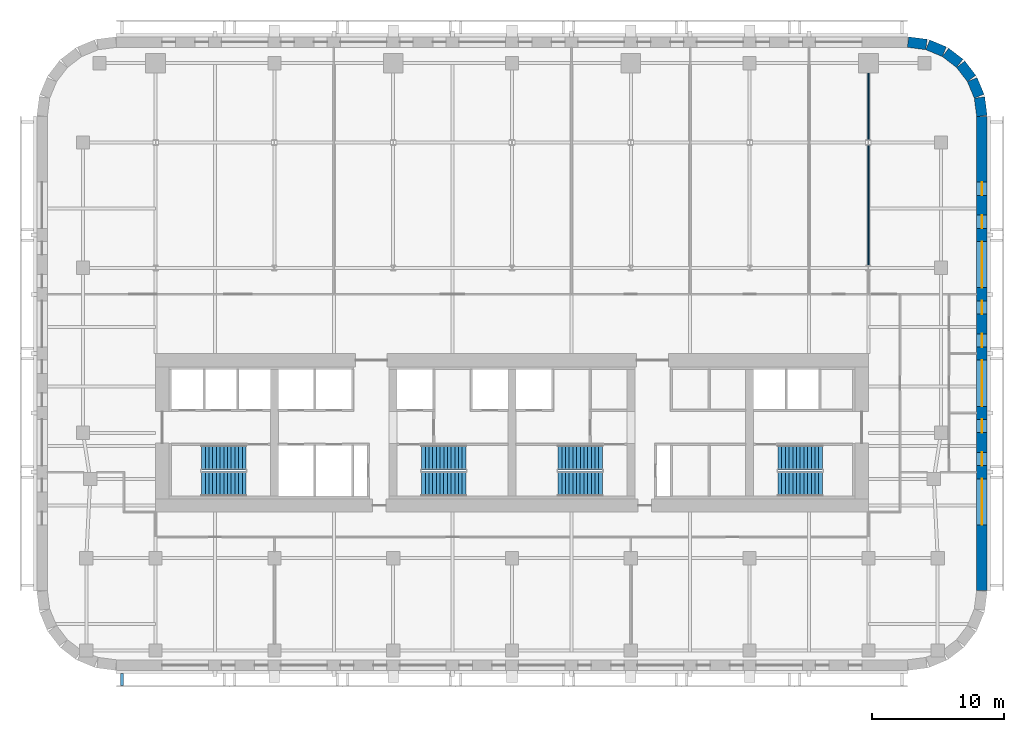
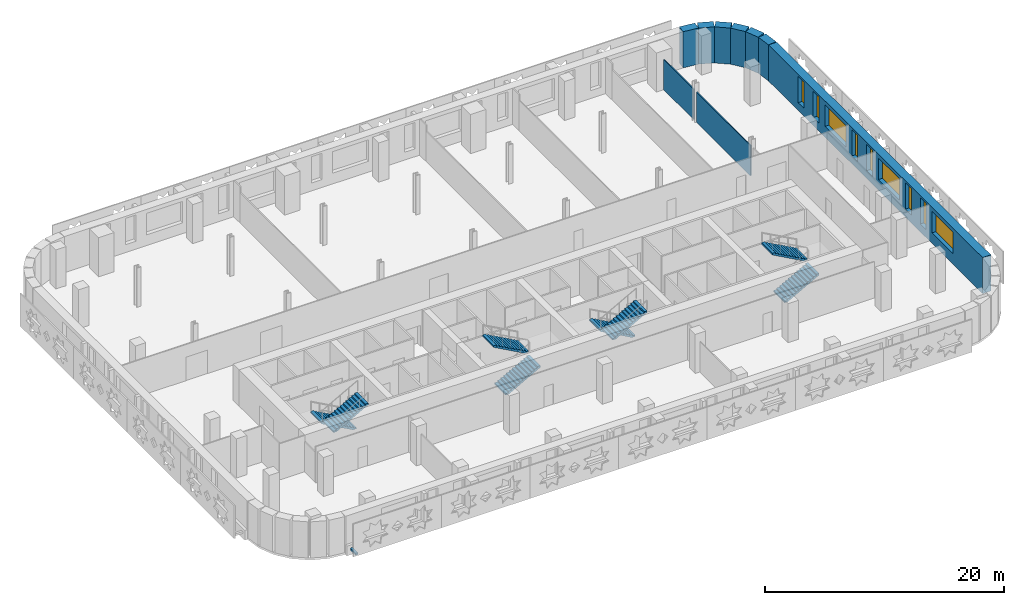
# One storey, part 7 of 10: 9 walls, 9 windows, 8 stair flights, 1 discrete accessory, 9 openings, 4 elements without a shape of their own.
"""IFC4 building model written with IfcOpenShell, lengths in metres."""

import ifcopenshell
import ifcopenshell.guid

model = None  # the IFC model being written
_history = None  # IfcOwnerHistory: only IFC2X3 demands one
_inside = {}  # id of a spatial element -> (the spatial element, [elements in it])
_under = {}  # id of a project, library or spatial element -> (it, [spatial elements below it])
_declared = {}  # id of a project -> (the project, [libraries it declares])
_typed = {}  # id of a type object -> (the type object, [elements of that type])
_made_of = {}  # id of a material, layer set ... -> (it, [elements and type objects made of it])


def new_model(schema):
    """Start an empty IFC model of exactly this schema.

    Asked for "IFC4X3", IfcOpenShell would pick the latest addendum, in which some entities
    have other attributes; the version numbers below select the first issue.
    IFC2X3 requires an IfcOwnerHistory on every rooted entity: one is made here for all.
    """
    global model, _history
    if schema == "IFC4X3":
        model = ifcopenshell.file(schema_version=(4, 3, 0, 0))
    else:
        model = ifcopenshell.file(schema=schema)
    _inside.clear()
    _under.clear()
    _declared.clear()
    _typed.clear()
    _made_of.clear()
    _history = None
    if model.schema == "IFC2X3":
        org = make("IfcOrganization", Name="unknown")
        user = make(
            "IfcPersonAndOrganization",
            ThePerson=make("IfcPerson", FamilyName="unknown"),
            TheOrganization=org,
        )
        app = make(
            "IfcApplication",
            ApplicationDeveloper=org,
            Version="unknown",
            ApplicationFullName="unknown",
            ApplicationIdentifier="unknown",
        )
        _history = make(
            "IfcOwnerHistory",
            OwningUser=user,
            OwningApplication=app,
            ChangeAction="ADDED",
            CreationDate=0,
        )
    return model


def make(cls, **values):
    """One entity of the class cls with the attributes given. An attribute that is None is left unset."""
    return model.create_entity(
        cls, **{name: value for name, value in values.items() if value is not None}
    )


def rooted(cls, **values):
    """An entity with a GlobalId (a new one), such as an element, a storey or a relation."""
    return make(cls, GlobalId=ifcopenshell.guid.new(), OwnerHistory=_history, **values)


def si_unit(unit_type, name, prefix=None):
    """IfcSIUnit, for example si_unit("LENGTHUNIT", "METRE", prefix="MILLI")."""
    return make("IfcSIUnit", UnitType=unit_type, Prefix=prefix, Name=name)


def assignment(units):
    """IfcUnitAssignment: the units of a project."""
    return None if units is None else make("IfcUnitAssignment", Units=units)


def point(xyz):
    """IfcCartesianPoint."""
    return None if xyz is None else make("IfcCartesianPoint", Coordinates=xyz)


def direction(xyz):
    """IfcDirection."""
    return None if xyz is None else make("IfcDirection", DirectionRatios=xyz)


def frame(location, z_axis=None, x_axis=None):
    """IfcAxis2Placement3D, a coordinate frame: its origin and axes. An axis left out is left unset."""
    return make(
        "IfcAxis2Placement3D",
        Location=point(location),
        Axis=direction(z_axis),
        RefDirection=direction(x_axis),
    )


def frame_2d(location, x_axis=None):
    """IfcAxis2Placement2D, a coordinate frame in the plane: its origin and x axis."""
    return make(
        "IfcAxis2Placement2D", Location=point(location), RefDirection=direction(x_axis)
    )


def origin():
    """The frame at (0, 0, 0) with its axes left unset."""
    return frame((0.0, 0.0, 0.0))


def origin_2d():
    """The frame at (0, 0) in the plane with its x axis left unset."""
    return frame_2d((0.0, 0.0))


def place(relative_to, where):
    """IfcLocalPlacement: puts the frame where relative to a parent placement (None: the world)."""
    return make(
        "IfcLocalPlacement", PlacementRelTo=relative_to, RelativePlacement=where
    )


def context(
    kind, dimensions, precision=None, world=None, true_north=None, identifier=None
):
    """IfcGeometricRepresentationContext, for example the 3D "Model" context."""
    return make(
        "IfcGeometricRepresentationContext",
        ContextIdentifier=identifier,
        ContextType=kind,
        CoordinateSpaceDimension=dimensions,
        Precision=precision,
        WorldCoordinateSystem=world,
        TrueNorth=true_north,
    )


def subcontext(parent, identifier, kind, view, scale=None):
    """IfcGeometricRepresentationSubContext, for example "Body" below "Model"."""
    return make(
        "IfcGeometricRepresentationSubContext",
        ContextIdentifier=identifier,
        ContextType=kind,
        ParentContext=parent,
        TargetScale=scale,
        TargetView=view,
    )


def project(units=None, contexts=None):
    """IfcProject with its units and contexts."""
    return rooted(
        "IfcProject",
        Name="project",
        RepresentationContexts=contexts,
        UnitsInContext=assignment(units),
    )


def spatial(cls, under=None, at=None, **own):
    """A site, building, storey or space (cls), placed at a placement, below another one or the project."""
    s = rooted(cls, ObjectPlacement=at, **own)
    if under is not None:
        _under.setdefault(under.id(), (under, []))[1].append(s)
    return s


def polyline(points):
    """IfcPolyline through the points."""
    return make("IfcPolyline", Points=[point(p) for p in points])


def profile(cls, at=None, kind="AREA", **sizes):
    """A parametric profile (cls). Its sizes go by their IFC names, for example OverallWidth=200.0."""
    return make(cls, ProfileType=kind, Position=at, **sizes)


def rectangle(**sizes):
    """IfcRectangleProfileDef."""
    return profile("IfcRectangleProfileDef", **sizes)


def outline(outer, holes=None, kind="AREA"):
    """IfcArbitraryClosedProfileDef: a profile drawn as a closed curve; with holes, ...WithVoids."""
    if holes is None:
        return make("IfcArbitraryClosedProfileDef", ProfileType=kind, OuterCurve=outer)
    return make(
        "IfcArbitraryProfileDefWithVoids",
        ProfileType=kind,
        OuterCurve=outer,
        InnerCurves=holes,
    )


def extrude(swept, where, along, depth):
    """IfcExtrudedAreaSolid: the profile swept, set in the frame where, extruded along a direction by depth."""
    return make(
        "IfcExtrudedAreaSolid",
        SweptArea=swept,
        Position=where,
        ExtrudedDirection=direction(along),
        Depth=depth,
    )


def shape(context_of_items, identifier, shape_type, items):
    """IfcShapeRepresentation: the items that make up one representation, for example the "Body"."""
    return make(
        "IfcShapeRepresentation",
        ContextOfItems=context_of_items,
        RepresentationIdentifier=identifier,
        RepresentationType=shape_type,
        Items=items,
    )


def material(Name=None, Category=None):
    """IfcMaterial."""
    return make("IfcMaterial", Name=Name, Category=Category)


def layer(
    of_material, thickness, ventilated=None, Name=None, Category=None, Priority=None
):
    """IfcMaterialLayer: one layer of a wall or slab, of a material (None: an air gap)."""
    return make(
        "IfcMaterialLayer",
        Material=of_material,
        LayerThickness=thickness,
        IsVentilated=ventilated,
        Name=Name,
        Category=Category,
        Priority=Priority,
    )


def layer_set(layers, Name=None):
    """IfcMaterialLayerSet."""
    return make("IfcMaterialLayerSet", MaterialLayers=layers, LayerSetName=Name)


def made_of(thing, what):
    """Note that an element or type object is made of a material, layer set ...; save() writes the relation."""
    if what is not None:
        _made_of.setdefault(what.id(), (what, []))[1].append(thing)
    return thing


def type_object(cls, material=None, **own):
    """A type object (cls), such as IfcWallType, which elements share."""
    return made_of(rooted(cls, **own), material)


def element(
    cls,
    number,
    at=None,
    inside=None,
    cuts=None,
    type_object=None,
    material=None,
    context=None,
    identifier="Body",
    shape_type=None,
    held_by="IfcProductDefinitionShape",
    body=None,
    shapes=None,
    **own,
):
    """One element of the class cls, such as IfcWall. Its Tag is "e" and its number.

    at: its placement. inside: the storey or other place that contains it. cuts: it is an
    opening in that element (IfcRelVoidsElement). A single representation is given by context,
    identifier, shape_type and body (its items); several are given by shapes. held_by: the class
    of the entity that holds the representations. save() writes the other relations.
    """
    e = rooted(cls, Tag="e%d" % number, ObjectPlacement=at, **own)
    if body is not None:
        shapes = [shape(context, identifier, shape_type, body)]
    if shapes is not None:
        e.Representation = make(held_by, Representations=shapes)
    if inside is not None:
        _inside.setdefault(inside.id(), (inside, []))[1].append(e)
    if cuts is not None:
        rooted(
            "IfcRelVoidsElement", RelatingBuildingElement=cuts, RelatedOpeningElement=e
        )
    if type_object is not None:
        _typed.setdefault(type_object.id(), (type_object, []))[1].append(e)
    return made_of(e, material)


def fill(opening, filler):
    """IfcRelFillsElement: the door or window that sits in an opening."""
    return rooted(
        "IfcRelFillsElement",
        RelatingOpeningElement=opening,
        RelatedBuildingElement=filler,
    )


def aggregate(whole, parts):
    """IfcRelAggregates: a whole, such as a stair, and the parts it consists of."""
    return rooted("IfcRelAggregates", RelatingObject=whole, RelatedObjects=parts)


def save(model, path):
    """Write the relations noted so far, then the file.

    IfcRelAggregates (storeys below a building ...), IfcRelContainedInSpatialStructure (elements
    in a storey), IfcRelDefinesByType, IfcRelAssociatesMaterial and IfcRelDeclares: one each for
    every whole, place, type object, material and project.
    """
    for whole, parts in _under.values():
        aggregate(whole, parts)
    for where, things in _inside.values():
        rooted(
            "IfcRelContainedInSpatialStructure",
            RelatedElements=things,
            RelatingStructure=where,
        )
    for kind, things in _typed.values():
        rooted("IfcRelDefinesByType", RelatedObjects=things, RelatingType=kind)
    for what, things in _made_of.values():
        rooted("IfcRelAssociatesMaterial", RelatedObjects=things, RelatingMaterial=what)
    for by, libraries in _declared.values():
        rooted("IfcRelDeclares", RelatingContext=by, RelatedDefinitions=libraries)
    model.write(path)


model = new_model("IFC4")

# Units and contexts
model_context = context("Model", 3, precision=1e-05, world=origin(), true_north=direction((0.0, 1.0)))
body_context = subcontext(model_context, "Body", "Model", "MODEL_VIEW")
ifc_project = project(units=[si_unit("LENGTHUNIT", "METRE"), si_unit("AREAUNIT", "SQUARE_METRE"), si_unit("VOLUMEUNIT", "CUBIC_METRE"), si_unit("PLANEANGLEUNIT", "RADIAN"), si_unit("MASSUNIT", "GRAM", prefix="KILO")], contexts=[model_context])

# Site, building, storey
site_placement = place(None, origin())
site = spatial("IfcSite", under=ifc_project, at=site_placement, CompositionType="ELEMENT")
building_placement = place(site_placement, origin())
building = spatial("IfcBuilding", under=site, at=building_placement, Name="Zellij Exchange Tower", CompositionType="ELEMENT")
storey_placement = place(building_placement, frame((0.0, 0.0, 152.5)))
storey = spatial("IfcBuildingStorey", under=building, at=storey_placement, Name="L34", CompositionType="ELEMENT", Elevation=152.5)

# Wall, openings, windows
ifc_material_1 = material(Name="Precast concrete C40/50", Category="concrete")
ifc_layer_1 = layer(ifc_material_1, 0.800048828125)
ifc_layer_set_1 = layer_set([ifc_layer_1], Name="Precast concrete C40/50")
wall_type_1 = type_object("IfcWallType", Name="ENV-EW1 Precast stone-piered wall 800", PredefinedType="SOLIDWALL", material=ifc_layer_set_1)
wall_1_placement = place(storey_placement, frame((35.60009765625, -19.947509765625, 0.0), z_axis=(0.0, 0.0, 1.0), x_axis=(0.0, 1.0, 0.0)))
wall_1 = element("IfcWall", 1, at=wall_1_placement, inside=storey, type_object=wall_type_1, Name="fac.L34.07", PredefinedType="SOLIDWALL", context=body_context, shape_type="SweptSolid", body=[
    extrude(rectangle(XDim=35.89501953125, YDim=0.800048828125, at=frame_2d((17.947509765625, 0.0))), origin(), (0.0, 0.0, 1.0), 3.699951171875),
])
opening_1_placement = place(wall_1_placement, frame((4.9638671875, 0.0, 1.10009765625)))
opening_1 = element("IfcOpeningElement", 2, at=opening_1_placement, cuts=wall_1, Name="Opening FZ2.19", PredefinedType="OPENING", context=body_context, shape_type="SweptSolid", body=[
    extrude(rectangle(XDim=3.5, YDim=2.199951171875, at=frame_2d((1.75, 1.10009765625))), frame((0.0, 0.412109375, 0.0), z_axis=(0.0, -1.0, 0.0), x_axis=(1.0, 0.0, 0.0)), (0.0, 0.0, 1.0), 0.823974609375),
])
opening_2_placement = place(wall_1_placement, frame((9.45751953125, 0.0, 0.800048828125)))
opening_2 = element("IfcOpeningElement", 3, at=opening_2_placement, cuts=wall_1, Name="Opening FZ2.20", PredefinedType="OPENING", context=body_context, shape_type="SweptSolid", body=[
    extrude(rectangle(XDim=1.0, YDim=2.699951171875, at=frame_2d((0.5, 1.35009765625))), frame((0.0, 0.412109375, 0.0), z_axis=(0.0, -1.0, 0.0), x_axis=(1.0, 0.0, 0.0)), (0.0, 0.0, 1.0), 0.823974609375),
])
opening_3_placement = place(wall_1_placement, frame((11.95751953125, 0.0, 0.800048828125)))
opening_3 = element("IfcOpeningElement", 4, at=opening_3_placement, cuts=wall_1, Name="Opening FZ2.21", PredefinedType="OPENING", context=body_context, shape_type="SweptSolid", body=[
    extrude(rectangle(XDim=1.0, YDim=2.699951171875, at=frame_2d((0.5, 1.35009765625))), frame((0.0, 0.412109375, 0.0), z_axis=(0.0, -1.0, 0.0), x_axis=(1.0, 0.0, 0.0)), (0.0, 0.0, 1.0), 0.823974609375),
])
opening_4_placement = place(wall_1_placement, frame((13.950927734375, 0.0, 1.10009765625)))
opening_4 = element("IfcOpeningElement", 5, at=opening_4_placement, cuts=wall_1, Name="Opening FZ2.22", PredefinedType="OPENING", context=body_context, shape_type="SweptSolid", body=[
    extrude(rectangle(XDim=3.5, YDim=2.199951171875, at=frame_2d((1.75, 1.10009765625))), frame((0.0, 0.412109375, 0.0), z_axis=(0.0, -1.0, 0.0), x_axis=(1.0, 0.0, 0.0)), (0.0, 0.0, 1.0), 0.823974609375),
])
opening_5_placement = place(wall_1_placement, frame((18.4443359375, 0.0, 0.800048828125)))
opening_5 = element("IfcOpeningElement", 6, at=opening_5_placement, cuts=wall_1, Name="Opening FZ2.23", PredefinedType="OPENING", context=body_context, shape_type="SweptSolid", body=[
    extrude(rectangle(XDim=1.0, YDim=2.699951171875, at=frame_2d((0.5, 1.35009765625))), frame((0.0, 0.412109375, 0.0), z_axis=(0.0, -1.0, 0.0), x_axis=(1.0, 0.0, 0.0)), (0.0, 0.0, 1.0), 0.823974609375),
])
opening_6_placement = place(wall_1_placement, frame((20.9443359375, 0.0, 0.800048828125)))
opening_6 = element("IfcOpeningElement", 7, at=opening_6_placement, cuts=wall_1, Name="Opening FZ2.24", PredefinedType="OPENING", context=body_context, shape_type="SweptSolid", body=[
    extrude(rectangle(XDim=1.0, YDim=2.699951171875, at=frame_2d((0.5, 1.35009765625))), frame((0.0, 0.412109375, 0.0), z_axis=(0.0, -1.0, 0.0), x_axis=(1.0, 0.0, 0.0)), (0.0, 0.0, 1.0), 0.823974609375),
])
opening_7_placement = place(wall_1_placement, frame((22.937744140625, 0.0, 1.10009765625)))
opening_7 = element("IfcOpeningElement", 8, at=opening_7_placement, cuts=wall_1, Name="Opening FZ2.25", PredefinedType="OPENING", context=body_context, shape_type="SweptSolid", body=[
    extrude(rectangle(XDim=3.5, YDim=2.199951171875, at=frame_2d((1.75, 1.10009765625))), frame((0.0, 0.412109375, 0.0), z_axis=(0.0, -1.0, 0.0), x_axis=(1.0, 0.0, 0.0)), (0.0, 0.0, 1.0), 0.823974609375),
])
opening_8_placement = place(wall_1_placement, frame((27.43115234375, 0.0, 0.800048828125)))
opening_8 = element("IfcOpeningElement", 9, at=opening_8_placement, cuts=wall_1, Name="Opening FZ2.26", PredefinedType="OPENING", context=body_context, shape_type="SweptSolid", body=[
    extrude(rectangle(XDim=1.0, YDim=2.699951171875, at=frame_2d((0.5, 1.35009765625))), frame((0.0, 0.412109375, 0.0), z_axis=(0.0, -1.0, 0.0), x_axis=(1.0, 0.0, 0.0)), (0.0, 0.0, 1.0), 0.823974609375),
])
opening_9_placement = place(wall_1_placement, frame((29.93115234375, 0.0, 0.800048828125)))
opening_9 = element("IfcOpeningElement", 10, at=opening_9_placement, cuts=wall_1, Name="Opening FZ2.27", PredefinedType="OPENING", context=body_context, shape_type="SweptSolid", body=[
    extrude(rectangle(XDim=1.0, YDim=2.699951171875, at=frame_2d((0.5, 1.35009765625))), frame((0.0, 0.412109375, 0.0), z_axis=(0.0, -1.0, 0.0), x_axis=(1.0, 0.0, 0.0)), (0.0, 0.0, 1.0), 0.823974609375),
])
ifc_material_2 = material(Name="Aluminium frame with insulating glass", Category="aluminium")
window_type_1 = type_object("IfcWindowType", Name="ENV-W7 Window 3500x2200", PartitioningType="SINGLE_PANEL", PredefinedType="WINDOW", material=ifc_material_2)
window_1_placement = place(opening_1_placement, origin())
window_1 = element("IfcWindow", 11, at=window_1_placement, inside=storey, type_object=window_type_1, Name="Window FZ2.19", OverallHeight=2.199951171875, OverallWidth=3.5, PartitioningType="SINGLE_PANEL", PredefinedType="WINDOW", context=body_context, shape_type="SweptSolid", body=[
    extrude(rectangle(XDim=3.5, YDim=2.199951171875, at=frame_2d((1.75, 1.10009765625))), frame((0.0, 0.030029296875, 0.0), z_axis=(0.0, -1.0, 0.0), x_axis=(1.0, 0.0, 0.0)), (0.0, 0.0, 1.0), 0.06005859375),
])
fill(opening_1, window_1)
window_2_placement = place(opening_4_placement, origin())
window_2 = element("IfcWindow", 12, at=window_2_placement, inside=storey, type_object=window_type_1, Name="Window FZ2.22", OverallHeight=2.199951171875, OverallWidth=3.5, PartitioningType="SINGLE_PANEL", PredefinedType="WINDOW", context=body_context, shape_type="SweptSolid", body=[
    extrude(rectangle(XDim=3.5, YDim=2.199951171875, at=frame_2d((1.75, 1.10009765625))), frame((0.0, 0.030029296875, 0.0), z_axis=(0.0, -1.0, 0.0), x_axis=(1.0, 0.0, 0.0)), (0.0, 0.0, 1.0), 0.06005859375),
])
fill(opening_4, window_2)
window_3_placement = place(opening_7_placement, origin())
window_3 = element("IfcWindow", 13, at=window_3_placement, inside=storey, type_object=window_type_1, Name="Window FZ2.25", OverallHeight=2.199951171875, OverallWidth=3.5, PartitioningType="SINGLE_PANEL", PredefinedType="WINDOW", context=body_context, shape_type="SweptSolid", body=[
    extrude(rectangle(XDim=3.5, YDim=2.199951171875, at=frame_2d((1.75, 1.10009765625))), frame((0.0, 0.030029296875, 0.0), z_axis=(0.0, -1.0, 0.0), x_axis=(1.0, 0.0, 0.0)), (0.0, 0.0, 1.0), 0.06005859375),
])
fill(opening_7, window_3)
window_type_2 = type_object("IfcWindowType", Name="ENV-W8 Window 1000x2700", PartitioningType="SINGLE_PANEL", PredefinedType="WINDOW", material=ifc_material_2)
window_4_placement = place(opening_2_placement, origin())
window_4 = element("IfcWindow", 14, at=window_4_placement, inside=storey, type_object=window_type_2, Name="Window FZ2.20", OverallHeight=2.699951171875, OverallWidth=1.0, PartitioningType="SINGLE_PANEL", PredefinedType="WINDOW", context=body_context, shape_type="SweptSolid", body=[
    extrude(rectangle(XDim=1.0, YDim=2.699951171875, at=frame_2d((0.5, 1.35009765625))), frame((0.0, 0.030029296875, 0.0), z_axis=(0.0, -1.0, 0.0), x_axis=(1.0, 0.0, 0.0)), (0.0, 0.0, 1.0), 0.06005859375),
])
fill(opening_2, window_4)
window_5_placement = place(opening_3_placement, origin())
window_5 = element("IfcWindow", 15, at=window_5_placement, inside=storey, type_object=window_type_2, Name="Window FZ2.21", OverallHeight=2.699951171875, OverallWidth=1.0, PartitioningType="SINGLE_PANEL", PredefinedType="WINDOW", context=body_context, shape_type="SweptSolid", body=[
    extrude(rectangle(XDim=1.0, YDim=2.699951171875, at=frame_2d((0.5, 1.35009765625))), frame((0.0, 0.030029296875, 0.0), z_axis=(0.0, -1.0, 0.0), x_axis=(1.0, 0.0, 0.0)), (0.0, 0.0, 1.0), 0.06005859375),
])
fill(opening_3, window_5)
window_6_placement = place(opening_5_placement, origin())
window_6 = element("IfcWindow", 16, at=window_6_placement, inside=storey, type_object=window_type_2, Name="Window FZ2.23", OverallHeight=2.699951171875, OverallWidth=1.0, PartitioningType="SINGLE_PANEL", PredefinedType="WINDOW", context=body_context, shape_type="SweptSolid", body=[
    extrude(rectangle(XDim=1.0, YDim=2.699951171875, at=frame_2d((0.5, 1.35009765625))), frame((0.0, 0.030029296875, 0.0), z_axis=(0.0, -1.0, 0.0), x_axis=(1.0, 0.0, 0.0)), (0.0, 0.0, 1.0), 0.06005859375),
])
fill(opening_5, window_6)
window_7_placement = place(opening_6_placement, origin())
window_7 = element("IfcWindow", 17, at=window_7_placement, inside=storey, type_object=window_type_2, Name="Window FZ2.24", OverallHeight=2.699951171875, OverallWidth=1.0, PartitioningType="SINGLE_PANEL", PredefinedType="WINDOW", context=body_context, shape_type="SweptSolid", body=[
    extrude(rectangle(XDim=1.0, YDim=2.699951171875, at=frame_2d((0.5, 1.35009765625))), frame((0.0, 0.030029296875, 0.0), z_axis=(0.0, -1.0, 0.0), x_axis=(1.0, 0.0, 0.0)), (0.0, 0.0, 1.0), 0.06005859375),
])
fill(opening_6, window_7)
window_8_placement = place(opening_8_placement, origin())
window_8 = element("IfcWindow", 18, at=window_8_placement, inside=storey, type_object=window_type_2, Name="Window FZ2.26", OverallHeight=2.699951171875, OverallWidth=1.0, PartitioningType="SINGLE_PANEL", PredefinedType="WINDOW", context=body_context, shape_type="SweptSolid", body=[
    extrude(rectangle(XDim=1.0, YDim=2.699951171875, at=frame_2d((0.5, 1.35009765625))), frame((0.0, 0.030029296875, 0.0), z_axis=(0.0, -1.0, 0.0), x_axis=(1.0, 0.0, 0.0)), (0.0, 0.0, 1.0), 0.06005859375),
])
fill(opening_8, window_8)
window_9_placement = place(opening_9_placement, origin())
window_9 = element("IfcWindow", 19, at=window_9_placement, inside=storey, type_object=window_type_2, Name="Window FZ2.27", OverallHeight=2.699951171875, OverallWidth=1.0, PartitioningType="SINGLE_PANEL", PredefinedType="WINDOW", context=body_context, shape_type="SweptSolid", body=[
    extrude(rectangle(XDim=1.0, YDim=2.699951171875, at=frame_2d((0.5, 1.35009765625))), frame((0.0, 0.030029296875, 0.0), z_axis=(0.0, -1.0, 0.0), x_axis=(1.0, 0.0, 0.0)), (0.0, 0.0, 1.0), 0.06005859375),
])
fill(opening_9, window_9)

# Walls
wall_2_placement = place(storey_placement, frame((35.5966796875, 15.999755859375, 0.0), z_axis=(0.0, 0.0, 1.0), x_axis=(-0.130517283865, 0.99144603414, 0.0)))
element("IfcWall", 20, at=wall_2_placement, inside=storey, type_object=wall_type_1, Name="fac.L34.08", PredefinedType="SOLIDWALL", context=body_context, shape_type="SweptSolid", body=[
    extrude(rectangle(XDim=1.408447265625, YDim=0.800048828125, at=frame_2d((0.7041015625, 0.0))), origin(), (0.0, 0.0, 1.0), 3.699951171875),
])
wall_3_placement = place(storey_placement, frame((35.3857421875, 17.497314453125, 0.0), z_axis=(0.0, 0.0, 1.0), x_axis=(-0.38276009378, 0.923847774587, 0.0)))
element("IfcWall", 21, at=wall_3_placement, inside=storey, type_object=wall_type_1, Name="fac.L34.09", PredefinedType="SOLIDWALL", context=body_context, shape_type="SweptSolid", body=[
    extrude(rectangle(XDim=1.35546875, YDim=0.800048828125, at=frame_2d((0.677734375, 0.0))), origin(), (0.0, 0.0, 1.0), 3.699951171875),
])
for number, where, z_axis, x_axis, name in (
    (22, (34.814697265625, 18.840087890625, 0.0), (0.0, 0.0, 1.0), (-0.608866226366, 0.793272915452, 0.0), "fac.L34.10"),
    (23, (33.91552734375, 19.9892578125, 0.0), (0.0, 0.0, 1.0), (-0.793272915452, 0.608866226366, 0.0), "fac.L34.11"),
):
    element("IfcWall", number, at=place(storey_placement, frame(where, z_axis=z_axis, x_axis=x_axis)), inside=storey, type_object=wall_type_1, Name=name, PredefinedType="SOLIDWALL", context=body_context, shape_type="SweptSolid", body=[
        extrude(rectangle(XDim=1.355712890625, YDim=0.800048828125, at=frame_2d((0.677734375, 0.0))), origin(), (0.0, 0.0, 1.0), 3.699951171875),
    ])
wall_4_placement = place(storey_placement, frame((32.74951171875, 20.866943359375, 0.0), z_axis=(0.0, 0.0, 1.0), x_axis=(-0.923847774587, 0.38276009378, 0.0)))
element("IfcWall", 24, at=wall_4_placement, inside=storey, type_object=wall_type_1, Name="fac.L34.12", PredefinedType="SOLIDWALL", context=body_context, shape_type="SweptSolid", body=[
    extrude(rectangle(XDim=1.35546875, YDim=0.800048828125, at=frame_2d((0.677734375, 0.0))), origin(), (0.0, 0.0, 1.0), 3.699951171875),
])
wall_5_placement = place(storey_placement, frame((31.396240234375, 21.412841796875, 0.0), z_axis=(0.0, 0.0, 1.0), x_axis=(-0.99144603414, 0.130517283865, 0.0)))
element("IfcWall", 25, at=wall_5_placement, inside=storey, type_object=wall_type_1, Name="fac.L34.13", PredefinedType="SOLIDWALL", context=body_context, shape_type="SweptSolid", body=[
    extrude(rectangle(XDim=1.408447265625, YDim=0.800048828125, at=frame_2d((0.7041015625, 0.0))), origin(), (0.0, 0.0, 1.0), 3.699951171875),
])
ifc_material_3 = material(Name="Gypsum board partition on steel studs", Category="steel")
ifc_layer_2 = layer(ifc_material_3, 0.10009765625)
ifc_layer_set_2 = layer_set([ifc_layer_2], Name="Gypsum board partition on steel studs")
wall_type_2 = type_object("IfcWallType", Name="FIT-PARTITION-100", PredefinedType="PARTITIONING", material=ifc_layer_set_2)
wall_6_placement = place(storey_placement, frame((27.0, 4.727294921875, 0.0), z_axis=(0.0, 0.0, 1.0), x_axis=(0.0, 1.0, 0.0)))
element("IfcWall", 26, at=wall_6_placement, inside=storey, type_object=wall_type_2, Name="FIT-PARTITION-100 029", PredefinedType="PARTITIONING", context=body_context, shape_type="SweptSolid", body=[
    extrude(rectangle(XDim=9.04541015625, YDim=0.10009765625, at=frame_2d((4.522705078125, 0.0))), origin(), (0.0, 0.0, 1.0), 3.087890625),
])
wall_7_placement = place(storey_placement, frame((27.0, 14.227294921875, 0.0), z_axis=(0.0, 0.0, 1.0), x_axis=(0.0, 1.0, 0.0)))
element("IfcWall", 27, at=wall_7_placement, inside=storey, type_object=wall_type_2, Name="FIT-PARTITION-100 030", PredefinedType="PARTITIONING", context=body_context, shape_type="SweptSolid", body=[
    extrude(rectangle(XDim=5.022705078125, YDim=0.10009765625, at=frame_2d((2.51123046875, 0.0))), origin(), (0.0, 0.0, 1.0), 3.087890625),
])

# Stair, stair flights
ifc_material_4 = material(Name="Concrete C40/50", Category="concrete")
stair_type = type_object("IfcStairType", Name="CORE-ST exit stair 1850 wide", PredefinedType="HALF_TURN_STAIR", material=ifc_material_4)
stair_1_placement = place(storey_placement, origin())
stair_1 = element("IfcStair", 28, at=stair_1_placement, inside=storey, type_object=stair_type, Name="L34 exit stair ST1", PredefinedType="HALF_TURN_STAIR")
stair_flight_type = type_object("IfcStairFlightType", Name="CORE-SF flight 1850 riser 153.8 going 280", PredefinedType="STRAIGHT", material=ifc_material_4)
stair_flight_1_placement = place(storey_placement, frame((-20.14990234375, -9.875, 0.0), z_axis=(0.0, 0.0, 1.0), x_axis=(-1.0, 0.0, 0.0)))
stair_flight_1 = element("IfcStairFlight", 29, at=stair_flight_1_placement, type_object=stair_flight_type, Name="ST1 flight 1", NumberOfRisers=13, NumberOfTreads=12, PredefinedType="STRAIGHT", RiserHeight=0.153846154, TreadLength=0.28, context=body_context, shape_type="SweptSolid", body=[
    extrude(outline(polyline([(0.0, 0.0), (0.0, 0.15380859375), (0.280029296875, 0.15380859375), (0.280029296875, 0.3076171875), (0.56005859375, 0.3076171875), (0.56005859375, 0.46142578125), (0.840087890625, 0.46142578125), (0.840087890625, 0.615478515625), (1.1201171875, 0.615478515625), (1.1201171875, 0.769287109375), (1.39990234375, 0.769287109375), (1.39990234375, 0.923095703125), (1.679931640625, 0.923095703125), (1.679931640625, 1.076904296875), (1.9599609375, 1.076904296875), (1.9599609375, 1.230712890625), (2.239990234375, 1.230712890625), (2.239990234375, 1.384521484375), (2.52001953125, 1.384521484375), (2.52001953125, 1.53857421875), (2.800048828125, 1.53857421875), (2.800048828125, 1.6923828125), (3.080078125, 1.6923828125), (3.080078125, 1.84619140625), (3.360107421875, 1.84619140625), (3.360107421875, 2.0), (3.360107421875, 1.675048828125), (0.311279296875, 0.0), (0.0, 0.0)])), frame((0.0, 0.925048828125, 0.0), z_axis=(0.0, -1.0, 0.0), x_axis=(1.0, 0.0, 0.0)), (0.0, 0.0, 1.0), 1.85009765625),
])
stair_flight_2_placement = place(storey_placement, frame((-23.510009765625, -11.875, 2.0), z_axis=(0.0, 0.0, 1.0), x_axis=(1.0, 0.0, 0.0)))
stair_flight_2 = element("IfcStairFlight", 30, at=stair_flight_2_placement, type_object=stair_flight_type, Name="ST1 flight 2", NumberOfRisers=13, NumberOfTreads=12, PredefinedType="STRAIGHT", RiserHeight=0.153846154, TreadLength=0.28, context=body_context, shape_type="SweptSolid", body=[
    extrude(outline(polyline([(0.0, 0.0), (0.0, 0.15380859375), (0.280029296875, 0.15380859375), (0.280029296875, 0.3076171875), (0.56005859375, 0.3076171875), (0.56005859375, 0.46142578125), (0.840087890625, 0.46142578125), (0.840087890625, 0.615478515625), (1.1201171875, 0.615478515625), (1.1201171875, 0.769287109375), (1.39990234375, 0.769287109375), (1.39990234375, 0.923095703125), (1.679931640625, 0.923095703125), (1.679931640625, 1.076904296875), (1.9599609375, 1.076904296875), (1.9599609375, 1.230712890625), (2.239990234375, 1.230712890625), (2.239990234375, 1.384521484375), (2.52001953125, 1.384521484375), (2.52001953125, 1.53857421875), (2.800048828125, 1.53857421875), (2.800048828125, 1.6923828125), (3.080078125, 1.6923828125), (3.080078125, 1.84619140625), (3.360107421875, 1.84619140625), (3.360107421875, 2.0), (3.360107421875, 1.675048828125), (0.311279296875, 0.0), (0.0, 0.0)])), frame((0.0, 0.925048828125, 0.0), z_axis=(0.0, -1.0, 0.0), x_axis=(1.0, 0.0, 0.0)), (0.0, 0.0, 1.0), 1.85009765625),
])
aggregate(stair_1, [stair_flight_1, stair_flight_2])

stair_2_placement = place(storey_placement, origin())
stair_2 = element("IfcStair", 31, at=stair_2_placement, inside=storey, type_object=stair_type, Name="L34 exit stair ST2", PredefinedType="HALF_TURN_STAIR")
stair_flight_3_placement = place(storey_placement, frame((-6.85009765625, -11.875, 0.0), z_axis=(0.0, 0.0, 1.0), x_axis=(1.0, 0.0, 0.0)))
stair_flight_3 = element("IfcStairFlight", 32, at=stair_flight_3_placement, type_object=stair_flight_type, Name="ST2 flight 1", NumberOfRisers=13, NumberOfTreads=12, PredefinedType="STRAIGHT", RiserHeight=0.153846154, TreadLength=0.28, context=body_context, shape_type="SweptSolid", body=[
    extrude(outline(polyline([(0.0, 0.0), (0.0, 0.15380859375), (0.280029296875, 0.15380859375), (0.280029296875, 0.3076171875), (0.56005859375, 0.3076171875), (0.56005859375, 0.46142578125), (0.840087890625, 0.46142578125), (0.840087890625, 0.615478515625), (1.1201171875, 0.615478515625), (1.1201171875, 0.769287109375), (1.39990234375, 0.769287109375), (1.39990234375, 0.923095703125), (1.679931640625, 0.923095703125), (1.679931640625, 1.076904296875), (1.9599609375, 1.076904296875), (1.9599609375, 1.230712890625), (2.239990234375, 1.230712890625), (2.239990234375, 1.384521484375), (2.52001953125, 1.384521484375), (2.52001953125, 1.53857421875), (2.800048828125, 1.53857421875), (2.800048828125, 1.6923828125), (3.080078125, 1.6923828125), (3.080078125, 1.84619140625), (3.360107421875, 1.84619140625), (3.360107421875, 2.0), (3.360107421875, 1.675048828125), (0.311279296875, 0.0), (0.0, 0.0)])), frame((0.0, 0.925048828125, 0.0), z_axis=(0.0, -1.0, 0.0), x_axis=(1.0, 0.0, 0.0)), (0.0, 0.0, 1.0), 1.85009765625),
])
stair_flight_4_placement = place(storey_placement, frame((-3.489990234375, -9.875, 2.0), z_axis=(0.0, 0.0, 1.0), x_axis=(-1.0, 0.0, 0.0)))
stair_flight_4 = element("IfcStairFlight", 33, at=stair_flight_4_placement, type_object=stair_flight_type, Name="ST2 flight 2", NumberOfRisers=13, NumberOfTreads=12, PredefinedType="STRAIGHT", RiserHeight=0.153846154, TreadLength=0.28, context=body_context, shape_type="SweptSolid", body=[
    extrude(outline(polyline([(0.0, 0.0), (0.0, 0.15380859375), (0.280029296875, 0.15380859375), (0.280029296875, 0.3076171875), (0.56005859375, 0.3076171875), (0.56005859375, 0.46142578125), (0.840087890625, 0.46142578125), (0.840087890625, 0.615478515625), (1.1201171875, 0.615478515625), (1.1201171875, 0.769287109375), (1.39990234375, 0.769287109375), (1.39990234375, 0.923095703125), (1.679931640625, 0.923095703125), (1.679931640625, 1.076904296875), (1.9599609375, 1.076904296875), (1.9599609375, 1.230712890625), (2.239990234375, 1.230712890625), (2.239990234375, 1.384521484375), (2.52001953125, 1.384521484375), (2.52001953125, 1.53857421875), (2.800048828125, 1.53857421875), (2.800048828125, 1.6923828125), (3.080078125, 1.6923828125), (3.080078125, 1.84619140625), (3.360107421875, 1.84619140625), (3.360107421875, 2.0), (3.360107421875, 1.675048828125), (0.311279296875, 0.0), (0.0, 0.0)])), frame((0.0, 0.925048828125, 0.0), z_axis=(0.0, -1.0, 0.0), x_axis=(1.0, 0.0, 0.0)), (0.0, 0.0, 1.0), 1.85009765625),
])
aggregate(stair_2, [stair_flight_3, stair_flight_4])

stair_3_placement = place(storey_placement, origin())
stair_3 = element("IfcStair", 34, at=stair_3_placement, inside=storey, type_object=stair_type, Name="L34 exit stair ST3", PredefinedType="HALF_TURN_STAIR")
stair_flight_5_placement = place(storey_placement, frame((6.85009765625, -9.875, 0.0), z_axis=(0.0, 0.0, 1.0), x_axis=(-1.0, 0.0, 0.0)))
stair_flight_5 = element("IfcStairFlight", 35, at=stair_flight_5_placement, type_object=stair_flight_type, Name="ST3 flight 1", NumberOfRisers=13, NumberOfTreads=12, PredefinedType="STRAIGHT", RiserHeight=0.153846154, TreadLength=0.28, context=body_context, shape_type="SweptSolid", body=[
    extrude(outline(polyline([(0.0, 0.0), (0.0, 0.15380859375), (0.280029296875, 0.15380859375), (0.280029296875, 0.3076171875), (0.56005859375, 0.3076171875), (0.56005859375, 0.46142578125), (0.840087890625, 0.46142578125), (0.840087890625, 0.615478515625), (1.1201171875, 0.615478515625), (1.1201171875, 0.769287109375), (1.39990234375, 0.769287109375), (1.39990234375, 0.923095703125), (1.679931640625, 0.923095703125), (1.679931640625, 1.076904296875), (1.9599609375, 1.076904296875), (1.9599609375, 1.230712890625), (2.239990234375, 1.230712890625), (2.239990234375, 1.384521484375), (2.52001953125, 1.384521484375), (2.52001953125, 1.53857421875), (2.800048828125, 1.53857421875), (2.800048828125, 1.6923828125), (3.080078125, 1.6923828125), (3.080078125, 1.84619140625), (3.360107421875, 1.84619140625), (3.360107421875, 2.0), (3.360107421875, 1.675048828125), (0.311279296875, 0.0), (0.0, 0.0)])), frame((0.0, 0.925048828125, 0.0), z_axis=(0.0, -1.0, 0.0), x_axis=(1.0, 0.0, 0.0)), (0.0, 0.0, 1.0), 1.85009765625),
])
stair_flight_6_placement = place(storey_placement, frame((3.489990234375, -11.875, 2.0), z_axis=(0.0, 0.0, 1.0), x_axis=(1.0, 0.0, 0.0)))
stair_flight_6 = element("IfcStairFlight", 36, at=stair_flight_6_placement, type_object=stair_flight_type, Name="ST3 flight 2", NumberOfRisers=13, NumberOfTreads=12, PredefinedType="STRAIGHT", RiserHeight=0.153846154, TreadLength=0.28, context=body_context, shape_type="SweptSolid", body=[
    extrude(outline(polyline([(0.0, 0.0), (0.0, 0.15380859375), (0.280029296875, 0.15380859375), (0.280029296875, 0.3076171875), (0.56005859375, 0.3076171875), (0.56005859375, 0.46142578125), (0.840087890625, 0.46142578125), (0.840087890625, 0.615478515625), (1.1201171875, 0.615478515625), (1.1201171875, 0.769287109375), (1.39990234375, 0.769287109375), (1.39990234375, 0.923095703125), (1.679931640625, 0.923095703125), (1.679931640625, 1.076904296875), (1.9599609375, 1.076904296875), (1.9599609375, 1.230712890625), (2.239990234375, 1.230712890625), (2.239990234375, 1.384521484375), (2.52001953125, 1.384521484375), (2.52001953125, 1.53857421875), (2.800048828125, 1.53857421875), (2.800048828125, 1.6923828125), (3.080078125, 1.6923828125), (3.080078125, 1.84619140625), (3.360107421875, 1.84619140625), (3.360107421875, 2.0), (3.360107421875, 1.675048828125), (0.311279296875, 0.0), (0.0, 0.0)])), frame((0.0, 0.925048828125, 0.0), z_axis=(0.0, -1.0, 0.0), x_axis=(1.0, 0.0, 0.0)), (0.0, 0.0, 1.0), 1.85009765625),
])
aggregate(stair_3, [stair_flight_5, stair_flight_6])

stair_4_placement = place(storey_placement, origin())
stair_4 = element("IfcStair", 37, at=stair_4_placement, inside=storey, type_object=stair_type, Name="L34 exit stair ST4", PredefinedType="HALF_TURN_STAIR")
stair_flight_7_placement = place(storey_placement, frame((20.14990234375, -11.875, 0.0), z_axis=(0.0, 0.0, 1.0), x_axis=(1.0, 0.0, 0.0)))
stair_flight_7 = element("IfcStairFlight", 38, at=stair_flight_7_placement, type_object=stair_flight_type, Name="ST4 flight 1", NumberOfRisers=13, NumberOfTreads=12, PredefinedType="STRAIGHT", RiserHeight=0.153846154, TreadLength=0.28, context=body_context, shape_type="SweptSolid", body=[
    extrude(outline(polyline([(0.0, 0.0), (0.0, 0.15380859375), (0.280029296875, 0.15380859375), (0.280029296875, 0.3076171875), (0.56005859375, 0.3076171875), (0.56005859375, 0.46142578125), (0.840087890625, 0.46142578125), (0.840087890625, 0.615478515625), (1.1201171875, 0.615478515625), (1.1201171875, 0.769287109375), (1.39990234375, 0.769287109375), (1.39990234375, 0.923095703125), (1.679931640625, 0.923095703125), (1.679931640625, 1.076904296875), (1.9599609375, 1.076904296875), (1.9599609375, 1.230712890625), (2.239990234375, 1.230712890625), (2.239990234375, 1.384521484375), (2.52001953125, 1.384521484375), (2.52001953125, 1.53857421875), (2.800048828125, 1.53857421875), (2.800048828125, 1.6923828125), (3.080078125, 1.6923828125), (3.080078125, 1.84619140625), (3.360107421875, 1.84619140625), (3.360107421875, 2.0), (3.360107421875, 1.675048828125), (0.311279296875, 0.0), (0.0, 0.0)])), frame((0.0, 0.925048828125, 0.0), z_axis=(0.0, -1.0, 0.0), x_axis=(1.0, 0.0, 0.0)), (0.0, 0.0, 1.0), 1.85009765625),
])
stair_flight_8_placement = place(storey_placement, frame((23.510009765625, -9.875, 2.0), z_axis=(0.0, 0.0, 1.0), x_axis=(-1.0, 0.0, 0.0)))
stair_flight_8 = element("IfcStairFlight", 39, at=stair_flight_8_placement, type_object=stair_flight_type, Name="ST4 flight 2", NumberOfRisers=13, NumberOfTreads=12, PredefinedType="STRAIGHT", RiserHeight=0.153846154, TreadLength=0.28, context=body_context, shape_type="SweptSolid", body=[
    extrude(outline(polyline([(0.0, 0.0), (0.0, 0.15380859375), (0.280029296875, 0.15380859375), (0.280029296875, 0.3076171875), (0.56005859375, 0.3076171875), (0.56005859375, 0.46142578125), (0.840087890625, 0.46142578125), (0.840087890625, 0.615478515625), (1.1201171875, 0.615478515625), (1.1201171875, 0.769287109375), (1.39990234375, 0.769287109375), (1.39990234375, 0.923095703125), (1.679931640625, 0.923095703125), (1.679931640625, 1.076904296875), (1.9599609375, 1.076904296875), (1.9599609375, 1.230712890625), (2.239990234375, 1.230712890625), (2.239990234375, 1.384521484375), (2.52001953125, 1.384521484375), (2.52001953125, 1.53857421875), (2.800048828125, 1.53857421875), (2.800048828125, 1.6923828125), (3.080078125, 1.6923828125), (3.080078125, 1.84619140625), (3.360107421875, 1.84619140625), (3.360107421875, 2.0), (3.360107421875, 1.675048828125), (0.311279296875, 0.0), (0.0, 0.0)])), frame((0.0, 0.925048828125, 0.0), z_axis=(0.0, -1.0, 0.0), x_axis=(1.0, 0.0, 0.0)), (0.0, 0.0, 1.0), 1.85009765625),
])
aggregate(stair_4, [stair_flight_7, stair_flight_8])

# Discrete accessory
ifc_material_5 = material(Name="Stainless steel", Category="steel")
discrete_accessory_type = type_object("IfcDiscreteAccessoryType", Name="ENV-BR1 Stone panel bracket 200", PredefinedType="USERDEFINED", material=ifc_material_5)
discrete_accessory_placement = place(storey_placement, frame((-29.547607421875, -26.699951171875, 0.2998046875), z_axis=(0.0, 0.0, 1.0), x_axis=(1.0, 0.0, 0.0)))
element("IfcDiscreteAccessory", 40, at=discrete_accessory_placement, inside=storey, type_object=discrete_accessory_type, Name="Panel bracket", ObjectType="BRACKET", PredefinedType="USERDEFINED", context=body_context, shape_type="SweptSolid", body=[
    extrude(rectangle(XDim=0.199951171875, YDim=0.89990234375, at=origin_2d()), origin(), (0.0, 0.0, 1.0), 0.199951171875),
])

save(model, "model.ifc")
